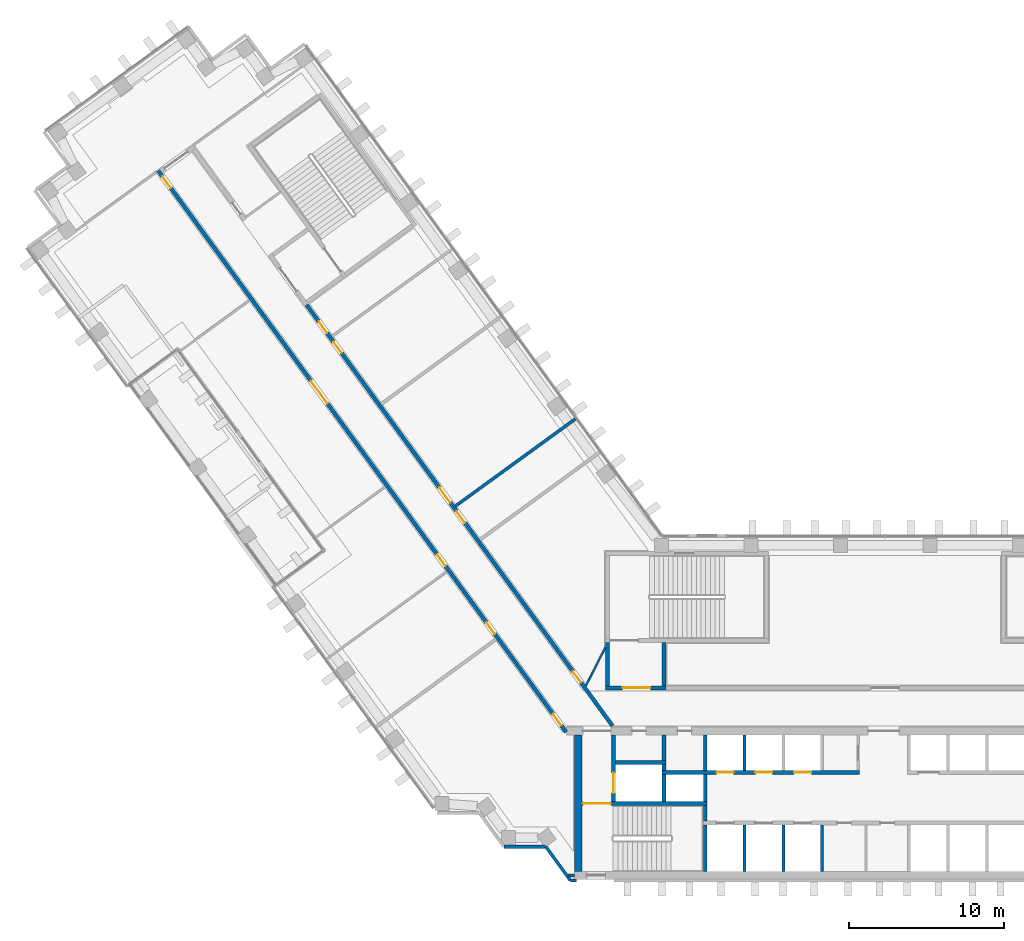
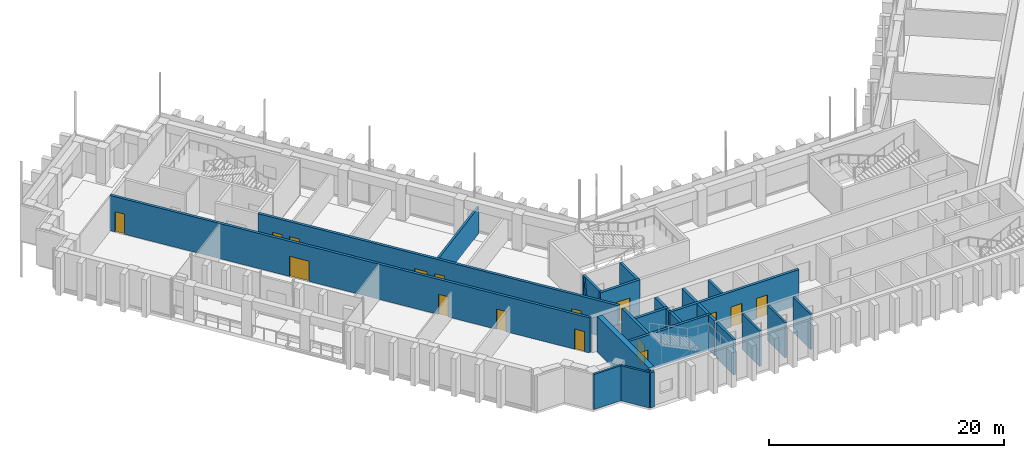
# One storey, part 10 of 19: 27 walls, 16 doors, 16 openings.
"""IFC4 building model written with IfcOpenShell, lengths in metres."""

from ifc_helpers import new_model, si_unit, direction, frame, frame_2d, origin, place, context, subcontext, project, spatial, rectangle, extrude, material, layer, layer_set, type_object, element, fill, save


model = new_model("IFC4")

# Units and contexts
model_context = context("Model", 3, precision=1e-05, world=origin(), true_north=direction((0.0, 1.0)))
body_context = subcontext(model_context, "Body", "Model", "MODEL_VIEW")
ifc_project = project(units=[si_unit("LENGTHUNIT", "METRE"), si_unit("AREAUNIT", "SQUARE_METRE"), si_unit("VOLUMEUNIT", "CUBIC_METRE"), si_unit("PLANEANGLEUNIT", "RADIAN"), si_unit("MASSUNIT", "GRAM", prefix="KILO")], contexts=[model_context])

# Site, building, storey
site_placement = place(None, origin())
site = spatial("IfcSite", under=ifc_project, at=site_placement, CompositionType="ELEMENT")
building_placement = place(site_placement, origin())
building = spatial("IfcBuilding", under=site, at=building_placement, Name="Quipu Civic Tower", CompositionType="ELEMENT")
storey_placement = place(building_placement, frame((0.0, 0.0, 47.0)))
storey = spatial("IfcBuildingStorey", under=building, at=storey_placement, Name="L10", CompositionType="ELEMENT", Elevation=47.0)

# Walls
ifc_material_1 = material(Name="Fired clay blockwork", Category="masonry")
ifc_layer_1 = layer(ifc_material_1, 0.199951171875)
ifc_layer_set_1 = layer_set([ifc_layer_1], Name="Fired clay blockwork")
wall_type_1 = type_object("IfcWallType", Name="Blockwork wall 200", PredefinedType="SOLIDWALL", material=ifc_layer_set_1)
wall_1_placement = place(storey_placement, frame((-19.938232421875, 18.62939453125, 0.0), z_axis=(0.0, 0.0, 1.0), x_axis=(-0.80900684162, -0.587799226107, 0.0)))
element("IfcWall", 1, at=wall_1_placement, inside=storey, type_object=wall_type_1, Name="Partition P18", PredefinedType="SOLIDWALL", context=body_context, shape_type="SweptSolid", body=[
    extrude(rectangle(XDim=9.550048828125, YDim=0.199951171875, at=frame_2d((4.77490234375, 0.0))), origin(), (0.0, 0.0, 1.0), 2.75),
])
ifc_material_2 = material(Name="Concrete C70/85", Category="concrete")
ifc_layer_2 = layer(ifc_material_2, 0.25)
ifc_layer_set_2 = layer_set([ifc_layer_2], Name="Concrete C70/85")
wall_type_2 = type_object("IfcWallType", Name="Core wall 250", PredefinedType="SHEAR", material=ifc_layer_set_2)
wall_2_placement = place(storey_placement, frame((-11.574951171875, -10.5, 0.0), z_axis=(0.0, 0.0, 1.0), x_axis=(0.0, 1.0, 0.0)))
element("IfcWall", 2, at=wall_2_placement, inside=storey, type_object=wall_type_2, Name="Core wall", PredefinedType="SHEAR", context=body_context, shape_type="SweptSolid", body=[
    extrude(rectangle(XDim=3.0, YDim=0.25, at=frame_2d((1.5, 0.0))), origin(), (0.0, 0.0, 1.0), 3.64990234375),
])
wall_3_placement = place(storey_placement, frame((-11.574951171875, -7.25, 0.0), z_axis=(0.0, 0.0, 1.0), x_axis=(0.0, 1.0, 0.0)))
element("IfcWall", 3, at=wall_3_placement, inside=storey, type_object=wall_type_2, Name="Core wall", PredefinedType="SHEAR", context=body_context, shape_type="SweptSolid", body=[
    extrude(rectangle(XDim=1.0, YDim=0.25, at=frame_2d((0.5, 0.0))), origin(), (0.0, 0.0, 1.0), 3.64990234375),
])

# Wall, opening, door
wall_4_placement = place(storey_placement, frame((-11.449951171875, -6.125, 0.0), z_axis=(0.0, 0.0, 1.0), x_axis=(-1.0, 0.0, 0.0)))
wall_4 = element("IfcWall", 4, at=wall_4_placement, inside=storey, type_object=wall_type_2, Name="Core wall", PredefinedType="SHEAR", context=body_context, shape_type="SweptSolid", body=[
    extrude(rectangle(XDim=8.050048828125, YDim=0.25, at=frame_2d((4.02490234375, 0.0))), origin(), (0.0, 0.0, 1.0), 3.64990234375),
])
opening_1_placement = place(wall_4_placement, frame((6.199951171875, 0.0, 0.0)))
opening_1 = element("IfcOpeningElement", 5, at=opening_1_placement, cuts=wall_4, Name="Opening CD-03", PredefinedType="OPENING", context=body_context, shape_type="SweptSolid", body=[
    extrude(rectangle(XDim=1.800048828125, YDim=2.10009765625, at=frame_2d((0.89990234375, 1.050048828125))), frame((0.0, 0.135009765625, 0.0), z_axis=(0.0, -1.0, 0.0), x_axis=(1.0, 0.0, 0.0)), (0.0, 0.0, 1.0), 0.27001953125),
])
ifc_material_3 = material(Name="Fire rated steel door", Category="steel")
door_type_1 = type_object("IfcDoorType", Name="Fire door FD90 double 1800 x 2100", OperationType="NOTDEFINED", PredefinedType="DOOR", material=ifc_material_3)
door_1_placement = place(opening_1_placement, origin())
door_1 = element("IfcDoor", 6, at=door_1_placement, inside=storey, type_object=door_type_1, Name="Door", OperationType="DOUBLE_DOOR_SINGLE_SWING", OverallHeight=2.10009765625, OverallWidth=1.800048828125, PredefinedType="DOOR", context=body_context, shape_type="SweptSolid", body=[
    extrude(rectangle(XDim=1.800048828125, YDim=2.10009765625, at=frame_2d((0.89990234375, 1.050048828125))), frame((0.0, 0.02490234375, 0.0), z_axis=(0.0, -1.0, 0.0), x_axis=(1.0, 0.0, 0.0)), (0.0, 0.0, 1.0), 0.050048828125),
])
fill(opening_1, door_1)

wall_5_placement = place(storey_placement, frame((-17.47509765625, -6.0, 0.0), z_axis=(0.0, 0.0, 1.0), x_axis=(0.0, 1.0, 0.0)))
wall_5 = element("IfcWall", 7, at=wall_5_placement, inside=storey, type_object=wall_type_2, Name="Core wall", PredefinedType="SHEAR", context=body_context, shape_type="SweptSolid", body=[
    extrude(rectangle(XDim=4.300048828125, YDim=0.25, at=frame_2d((2.14990234375, 0.0))), origin(), (0.0, 0.0, 1.0), 3.64990234375),
])
opening_2_placement = place(wall_5_placement, frame((0.550048828125, 0.0, 0.0)))
opening_2 = element("IfcOpeningElement", 8, at=opening_2_placement, cuts=wall_5, Name="Opening LD-FF1", PredefinedType="OPENING", context=body_context, shape_type="SweptSolid", body=[
    extrude(rectangle(XDim=1.300048828125, YDim=2.10009765625, at=frame_2d((0.64990234375, 1.050048828125))), frame((0.0, 0.135009765625, 0.0), z_axis=(0.0, -1.0, 0.0), x_axis=(1.0, 0.0, 0.0)), (0.0, 0.0, 1.0), 0.27001953125),
])
ifc_material_4 = material(Name="Stainless steel", Category="steel")
door_type_2 = type_object("IfcDoorType", Name="Lift landing door 1300 x 2100", OperationType="DOUBLE_DOOR_SLIDING", PredefinedType="DOOR", material=ifc_material_4)
door_2_placement = place(opening_2_placement, origin())
door_2 = element("IfcDoor", 9, at=door_2_placement, inside=storey, type_object=door_type_2, Name="Landing door FF1", OperationType="DOUBLE_DOOR_SLIDING", OverallHeight=2.10009765625, OverallWidth=1.300048828125, PredefinedType="DOOR", context=body_context, shape_type="SweptSolid", body=[
    extrude(rectangle(XDim=1.300048828125, YDim=2.10009765625, at=frame_2d((0.64990234375, 1.050048828125))), frame((0.0, 0.02490234375, 0.0), z_axis=(0.0, -1.0, 0.0), x_axis=(1.0, 0.0, 0.0)), (0.0, 0.0, 1.0), 0.050048828125),
])
fill(opening_2, door_2)

# Walls
for number, where, z_axis, x_axis, name in (
    (10, (-14.22509765625, -6.0, 0.0), (0.0, 0.0, 1.0), (0.0, 1.0, 0.0), "Core wall"),
    (11, (-11.574951171875, -6.0, 0.0), (0.0, 0.0, 1.0), (0.0, 1.0, 0.0), "Core wall"),
):
    element("IfcWall", number, at=place(storey_placement, frame(where, z_axis=z_axis, x_axis=x_axis)), inside=storey, type_object=wall_type_2, Name=name, PredefinedType="SHEAR", context=body_context, shape_type="SweptSolid", body=[
        extrude(rectangle(XDim=1.75, YDim=0.25, at=frame_2d((0.875, 0.0))), origin(), (0.0, 0.0, 1.0), 3.64990234375),
    ])

# Wall, openings, doors
wall_6_placement = place(storey_placement, frame((-14.35009765625, -4.125, 0.0), z_axis=(0.0, 0.0, 1.0), x_axis=(1.0, 0.0, 0.0)))
wall_6 = element("IfcWall", 12, at=wall_6_placement, inside=storey, type_object=wall_type_2, Name="Core wall", PredefinedType="SHEAR", context=body_context, shape_type="SweptSolid", body=[
    extrude(rectangle(XDim=12.7001953125, YDim=0.25, at=frame_2d((6.35009765625, 0.0))), origin(), (0.0, 0.0, 1.0), 3.64990234375),
])
opening_3_placement = place(wall_6_placement, frame((3.5, 0.0, 0.0)))
opening_3 = element("IfcOpeningElement", 13, at=opening_3_placement, cuts=wall_6, Name="Opening LD-LL4", PredefinedType="OPENING", context=body_context, shape_type="SweptSolid", body=[
    extrude(rectangle(XDim=1.10009765625, YDim=2.10009765625, at=frame_2d((0.550048828125, 1.050048828125))), frame((0.0, 0.135009765625, 0.0), z_axis=(0.0, -1.0, 0.0), x_axis=(1.0, 0.0, 0.0)), (0.0, 0.0, 1.0), 0.27001953125),
])
opening_4_placement = place(wall_6_placement, frame((6.0, 0.0, 0.0)))
opening_4 = element("IfcOpeningElement", 14, at=opening_4_placement, cuts=wall_6, Name="Opening LD-LL5", PredefinedType="OPENING", context=body_context, shape_type="SweptSolid", body=[
    extrude(rectangle(XDim=1.10009765625, YDim=2.10009765625, at=frame_2d((0.550048828125, 1.050048828125))), frame((0.0, 0.135009765625, 0.0), z_axis=(0.0, -1.0, 0.0), x_axis=(1.0, 0.0, 0.0)), (0.0, 0.0, 1.0), 0.27001953125),
])
opening_5_placement = place(wall_6_placement, frame((8.5, 0.0, 0.0)))
opening_5 = element("IfcOpeningElement", 15, at=opening_5_placement, cuts=wall_6, Name="Opening LD-LL6", PredefinedType="OPENING", context=body_context, shape_type="SweptSolid", body=[
    extrude(rectangle(XDim=1.10009765625, YDim=2.10009765625, at=frame_2d((0.550048828125, 1.050048828125))), frame((0.0, 0.135009765625, 0.0), z_axis=(0.0, -1.0, 0.0), x_axis=(1.0, 0.0, 0.0)), (0.0, 0.0, 1.0), 0.27001953125),
])
ifc_material_5 = material(Name="Stainless steel", Category="steel")
door_type_3 = type_object("IfcDoorType", Name="Lift landing door 1100 x 2100", OperationType="DOUBLE_DOOR_SLIDING", PredefinedType="DOOR", material=ifc_material_5)
door_3_placement = place(opening_3_placement, origin())
door_3 = element("IfcDoor", 16, at=door_3_placement, inside=storey, type_object=door_type_3, Name="Landing door LL4", OperationType="DOUBLE_DOOR_SLIDING", OverallHeight=2.10009765625, OverallWidth=1.10009765625, PredefinedType="DOOR", context=body_context, shape_type="SweptSolid", body=[
    extrude(rectangle(XDim=1.10009765625, YDim=2.10009765625, at=frame_2d((0.550048828125, 1.050048828125))), frame((0.0, 0.02490234375, 0.0), z_axis=(0.0, -1.0, 0.0), x_axis=(1.0, 0.0, 0.0)), (0.0, 0.0, 1.0), 0.050048828125),
])
fill(opening_3, door_3)
door_4_placement = place(opening_4_placement, origin())
door_4 = element("IfcDoor", 17, at=door_4_placement, inside=storey, type_object=door_type_3, Name="Landing door LL5", OperationType="DOUBLE_DOOR_SLIDING", OverallHeight=2.10009765625, OverallWidth=1.10009765625, PredefinedType="DOOR", context=body_context, shape_type="SweptSolid", body=[
    extrude(rectangle(XDim=1.10009765625, YDim=2.10009765625, at=frame_2d((0.550048828125, 1.050048828125))), frame((0.0, 0.02490234375, 0.0), z_axis=(0.0, -1.0, 0.0), x_axis=(1.0, 0.0, 0.0)), (0.0, 0.0, 1.0), 0.050048828125),
])
fill(opening_4, door_4)
door_5_placement = place(opening_5_placement, origin())
door_5 = element("IfcDoor", 18, at=door_5_placement, inside=storey, type_object=door_type_3, Name="Landing door LL6", OperationType="DOUBLE_DOOR_SLIDING", OverallHeight=2.10009765625, OverallWidth=1.10009765625, PredefinedType="DOOR", context=body_context, shape_type="SweptSolid", body=[
    extrude(rectangle(XDim=1.10009765625, YDim=2.10009765625, at=frame_2d((0.550048828125, 1.050048828125))), frame((0.0, 0.02490234375, 0.0), z_axis=(0.0, -1.0, 0.0), x_axis=(1.0, 0.0, 0.0)), (0.0, 0.0, 1.0), 0.050048828125),
])
fill(opening_5, door_5)

# Walls
wall_7_placement = place(storey_placement, frame((-14.22509765625, -4.0, 0.0), z_axis=(0.0, 0.0, 1.0), x_axis=(0.0, 1.0, 0.0)))
element("IfcWall", 19, at=wall_7_placement, inside=storey, type_object=wall_type_2, Name="Core wall", PredefinedType="SHEAR", context=body_context, shape_type="SweptSolid", body=[
    extrude(rectangle(XDim=0.39990234375, YDim=0.25, at=frame_2d((0.199951171875, 0.0))), origin(), (0.0, 0.0, 1.0), 3.64990234375),
])
wall_8_placement = place(storey_placement, frame((-11.574951171875, -4.0, 0.0), z_axis=(0.0, 0.0, 1.0), x_axis=(0.0, 1.0, 0.0)))
element("IfcWall", 20, at=wall_8_placement, inside=storey, type_object=wall_type_2, Name="Core wall", PredefinedType="SHEAR", context=body_context, shape_type="SweptSolid", body=[
    extrude(rectangle(XDim=2.300048828125, YDim=0.25, at=frame_2d((1.14990234375, 0.0))), origin(), (0.0, 0.0, 1.0), 3.64990234375),
])
wall_9_placement = place(storey_placement, frame((-17.35009765625, -3.47509765625, 0.0), z_axis=(0.0, 0.0, 1.0), x_axis=(1.0, 0.0, 0.0)))
element("IfcWall", 21, at=wall_9_placement, inside=storey, type_object=wall_type_2, Name="Core wall", PredefinedType="SHEAR", context=body_context, shape_type="SweptSolid", body=[
    extrude(rectangle(XDim=3.25, YDim=0.25, at=frame_2d((1.625, 0.0))), origin(), (0.0, 0.0, 1.0), 3.64990234375),
])
wall_10_placement = place(storey_placement, frame((-14.22509765625, -3.35009765625, 0.0), z_axis=(0.0, 0.0, 1.0), x_axis=(0.0, 1.0, 0.0)))
element("IfcWall", 22, at=wall_10_placement, inside=storey, type_object=wall_type_2, Name="Core wall", PredefinedType="SHEAR", context=body_context, shape_type="SweptSolid", body=[
    extrude(rectangle(XDim=1.650146484375, YDim=0.25, at=frame_2d((0.8251953125, 0.0))), origin(), (0.0, 0.0, 1.0), 3.64990234375),
])

# Wall, opening, door
wall_11_placement = place(storey_placement, frame((-18.0, 1.324951171875, 0.0), z_axis=(0.0, 0.0, 1.0), x_axis=(1.0, 0.0, 0.0)))
wall_11 = element("IfcWall", 23, at=wall_11_placement, inside=storey, type_object=wall_type_2, Name="Core wall", PredefinedType="SHEAR", context=body_context, shape_type="SweptSolid", body=[
    extrude(rectangle(XDim=3.89990234375, YDim=0.25, at=frame_2d((1.949951171875, 0.0))), origin(), (0.0, 0.0, 1.0), 3.64990234375),
])
opening_6_placement = place(wall_11_placement, frame((1.10009765625, 0.0, 0.0)))
opening_6 = element("IfcOpeningElement", 24, at=opening_6_placement, cuts=wall_11, Name="Opening CD-14", PredefinedType="OPENING", context=body_context, shape_type="SweptSolid", body=[
    extrude(rectangle(XDim=1.800048828125, YDim=2.10009765625, at=frame_2d((0.89990234375, 1.050048828125))), frame((0.0, 0.135009765625, 0.0), z_axis=(0.0, -1.0, 0.0), x_axis=(1.0, 0.0, 0.0)), (0.0, 0.0, 1.0), 0.27001953125),
])
door_6_placement = place(opening_6_placement, origin())
door_6 = element("IfcDoor", 25, at=door_6_placement, inside=storey, type_object=door_type_1, Name="Lobby door", OperationType="DOUBLE_DOOR_SINGLE_SWING", OverallHeight=2.10009765625, OverallWidth=1.800048828125, PredefinedType="DOOR", context=body_context, shape_type="SweptSolid", body=[
    extrude(rectangle(XDim=1.800048828125, YDim=2.10009765625, at=frame_2d((0.89990234375, 1.050048828125))), frame((0.0, 0.02490234375, 0.0), z_axis=(0.0, -1.0, 0.0), x_axis=(1.0, 0.0, 0.0)), (0.0, 0.0, 1.0), 0.050048828125),
])
fill(opening_6, door_6)

# Walls
for number, where, z_axis, x_axis, name in (
    (26, (-17.875, 1.449951171875, 0.0), (0.0, 0.0, 1.0), (0.0, 1.0, 0.0), "Core wall"),
    (27, (-14.22509765625, 1.449951171875, 0.0), (0.0, 0.0, 1.0), (0.0, 1.0, 0.0), "Core wall"),
):
    element("IfcWall", number, at=place(storey_placement, frame(where, z_axis=z_axis, x_axis=x_axis)), inside=storey, type_object=wall_type_2, Name=name, PredefinedType="SHEAR", context=body_context, shape_type="SweptSolid", body=[
        extrude(rectangle(XDim=2.800048828125, YDim=0.25, at=frame_2d((1.39990234375, 0.0))), origin(), (0.0, 0.0, 1.0), 3.64990234375),
    ])
ifc_material_6 = material(Name="Concrete C70/85", Category="concrete")
ifc_layer_3 = layer(ifc_material_6, 0.5)
ifc_layer_set_3 = layer_set([ifc_layer_3], Name="Concrete C70/85")
wall_type_3 = type_object("IfcWallType", Name="Core wall 500", PredefinedType="SHEAR", material=ifc_layer_set_3)
wall_12_placement = place(storey_placement, frame((-19.75, -10.5, 0.0), z_axis=(0.0, 0.0, 1.0), x_axis=(0.0, 1.0, 0.0)))
element("IfcWall", 28, at=wall_12_placement, inside=storey, type_object=wall_type_3, Name="Core wall", PredefinedType="SHEAR", context=body_context, shape_type="SweptSolid", body=[
    extrude(rectangle(XDim=8.800048828125, YDim=0.5, at=frame_2d((4.39990234375, 0.0))), origin(), (0.0, 0.0, 1.0), 3.64990234375),
])

# Wall, openings, doors
ifc_material_7 = material(Name="Concrete C50/60", Category="concrete")
ifc_layer_4 = layer(ifc_material_7, 0.25)
ifc_layer_set_4 = layer_set([ifc_layer_4], Name="Concrete C50/60")
wall_type_4 = type_object("IfcWallType", Name="Corridor wall 250 concrete", PredefinedType="SOLIDWALL", material=ifc_layer_set_4)
wall_13_placement = place(storey_placement, frame((-20.531005859375, -1.5234375, 0.0), z_axis=(0.0, 0.0, 1.0), x_axis=(-0.587784593204, 0.809017473231, 0.0)))
wall_13 = element("IfcWall", 29, at=wall_13_placement, inside=storey, type_object=wall_type_4, Name="Corridor wall C01", PredefinedType="SOLIDWALL", context=body_context, shape_type="SweptSolid", body=[
    extrude(rectangle(XDim=44.67041015625, YDim=0.25, at=frame_2d((22.335205078125, 0.0))), origin(), (0.0, 0.0, 1.0), 3.64990234375),
])
opening_7_placement = place(wall_13_placement, frame((26.14013671875, 0.0, 0.0)))
opening_7 = element("IfcOpeningElement", 30, at=opening_7_placement, cuts=wall_13, Name="Opening D019", PredefinedType="OPENING", context=body_context, shape_type="SweptSolid", body=[
    extrude(rectangle(XDim=1.800048828125, YDim=2.10009765625, at=frame_2d((0.89990234375, 1.050048828125))), frame((0.0, 0.135009765625, 0.0), z_axis=(0.0, -1.0, 0.0), x_axis=(1.0, 0.0, 0.0)), (0.0, 0.0, 1.0), 0.27001953125),
])
opening_8_placement = place(wall_13_placement, frame((43.295654296875, 0.0, 0.0)))
opening_8 = element("IfcOpeningElement", 31, at=opening_8_placement, cuts=wall_13, Name="Opening D018", PredefinedType="OPENING", context=body_context, shape_type="SweptSolid", body=[
    extrude(rectangle(XDim=0.89990234375, YDim=2.10009765625, at=frame_2d((0.449951171875, 1.050048828125))), frame((0.0, 0.135009765625, 0.0), z_axis=(0.0, -1.0, 0.0), x_axis=(1.0, 0.0, 0.0)), (0.0, 0.0, 1.0), 0.27001953125),
])
opening_9_placement = place(wall_13_placement, frame((13.216064453125, 0.0, 0.0)))
opening_9 = element("IfcOpeningElement", 32, at=opening_9_placement, cuts=wall_13, Name="Opening D020", PredefinedType="OPENING", context=body_context, shape_type="SweptSolid", body=[
    extrude(rectangle(XDim=0.89990234375, YDim=2.10009765625, at=frame_2d((0.449951171875, 1.050048828125))), frame((0.0, 0.135009765625, 0.0), z_axis=(0.0, -1.0, 0.0), x_axis=(1.0, 0.0, 0.0)), (0.0, 0.0, 1.0), 0.27001953125),
])
opening_10_placement = place(wall_13_placement, frame((7.81591796875, 0.0, 0.0)))
opening_10 = element("IfcOpeningElement", 33, at=opening_10_placement, cuts=wall_13, Name="Opening D021", PredefinedType="OPENING", context=body_context, shape_type="SweptSolid", body=[
    extrude(rectangle(XDim=0.89990234375, YDim=2.10009765625, at=frame_2d((0.449951171875, 1.050048828125))), frame((0.0, 0.135009765625, 0.0), z_axis=(0.0, -1.0, 0.0), x_axis=(1.0, 0.0, 0.0)), (0.0, 0.0, 1.0), 0.27001953125),
])
opening_11_placement = place(wall_13_placement, frame((0.53271484375, 0.0, 0.0)))
opening_11 = element("IfcOpeningElement", 34, at=opening_11_placement, cuts=wall_13, Name="Opening D022", PredefinedType="OPENING", context=body_context, shape_type="SweptSolid", body=[
    extrude(rectangle(XDim=0.89990234375, YDim=2.10009765625, at=frame_2d((0.449951171875, 1.050048828125))), frame((0.0, 0.135009765625, 0.0), z_axis=(0.0, -1.0, 0.0), x_axis=(1.0, 0.0, 0.0)), (0.0, 0.0, 1.0), 0.27001953125),
])
ifc_material_8 = material(Name="Fire rated timber door set with metal frame", Category="wood")
door_type_4 = type_object("IfcDoorType", Name="Double door 1800 x 2100 FD60", OperationType="DOUBLE_DOOR_SINGLE_SWING", PredefinedType="DOOR", material=ifc_material_8)
door_7_placement = place(opening_7_placement, origin())
door_7 = element("IfcDoor", 35, at=door_7_placement, inside=storey, type_object=door_type_4, Name="Door D019", OperationType="DOUBLE_DOOR_SINGLE_SWING", OverallHeight=2.10009765625, OverallWidth=1.800048828125, PredefinedType="DOOR", context=body_context, shape_type="SweptSolid", body=[
    extrude(rectangle(XDim=1.800048828125, YDim=2.10009765625, at=frame_2d((0.89990234375, 1.050048828125))), frame((0.0, 0.02490234375, 0.0), z_axis=(0.0, -1.0, 0.0), x_axis=(1.0, 0.0, 0.0)), (0.0, 0.0, 1.0), 0.050048828125),
])
fill(opening_7, door_7)
ifc_material_9 = material(Name="Fire rated timber door set with metal frame", Category="wood")
door_type_5 = type_object("IfcDoorType", Name="Single door 900 x 2100 FD60", OperationType="NOTDEFINED", PredefinedType="DOOR", material=ifc_material_9)
door_8_placement = place(opening_8_placement, origin())
door_8 = element("IfcDoor", 36, at=door_8_placement, inside=storey, type_object=door_type_5, Name="Door D018", OperationType="SINGLE_SWING_RIGHT", OverallHeight=2.10009765625, OverallWidth=0.89990234375, PredefinedType="DOOR", context=body_context, shape_type="SweptSolid", body=[
    extrude(rectangle(XDim=0.89990234375, YDim=2.10009765625, at=frame_2d((0.449951171875, 1.050048828125))), frame((0.0, 0.02490234375, 0.0), z_axis=(0.0, -1.0, 0.0), x_axis=(1.0, 0.0, 0.0)), (0.0, 0.0, 1.0), 0.050048828125),
])
fill(opening_8, door_8)
door_9_placement = place(opening_9_placement, origin())
door_9 = element("IfcDoor", 37, at=door_9_placement, inside=storey, type_object=door_type_5, Name="Door D020", OperationType="SINGLE_SWING_LEFT", OverallHeight=2.10009765625, OverallWidth=0.89990234375, PredefinedType="DOOR", context=body_context, shape_type="SweptSolid", body=[
    extrude(rectangle(XDim=0.89990234375, YDim=2.10009765625, at=frame_2d((0.449951171875, 1.050048828125))), frame((0.0, 0.02490234375, 0.0), z_axis=(0.0, -1.0, 0.0), x_axis=(1.0, 0.0, 0.0)), (0.0, 0.0, 1.0), 0.050048828125),
])
fill(opening_9, door_9)
door_10_placement = place(opening_10_placement, origin())
door_10 = element("IfcDoor", 38, at=door_10_placement, inside=storey, type_object=door_type_5, Name="Door D021", OperationType="SINGLE_SWING_LEFT", OverallHeight=2.10009765625, OverallWidth=0.89990234375, PredefinedType="DOOR", context=body_context, shape_type="SweptSolid", body=[
    extrude(rectangle(XDim=0.89990234375, YDim=2.10009765625, at=frame_2d((0.449951171875, 1.050048828125))), frame((0.0, 0.02490234375, 0.0), z_axis=(0.0, -1.0, 0.0), x_axis=(1.0, 0.0, 0.0)), (0.0, 0.0, 1.0), 0.050048828125),
])
fill(opening_10, door_10)
door_11_placement = place(opening_11_placement, origin())
door_11 = element("IfcDoor", 39, at=door_11_placement, inside=storey, type_object=door_type_5, Name="Door D022", OperationType="SINGLE_SWING_LEFT", OverallHeight=2.10009765625, OverallWidth=0.89990234375, PredefinedType="DOOR", context=body_context, shape_type="SweptSolid", body=[
    extrude(rectangle(XDim=0.89990234375, YDim=2.10009765625, at=frame_2d((0.449951171875, 1.050048828125))), frame((0.0, 0.02490234375, 0.0), z_axis=(0.0, -1.0, 0.0), x_axis=(1.0, 0.0, 0.0)), (0.0, 0.0, 1.0), 0.050048828125),
])
fill(opening_11, door_11)

wall_14_placement = place(storey_placement, frame((-37.231689453125, 25.9716796875, 0.0), z_axis=(0.0, 0.0, 1.0), x_axis=(0.587786323093, -0.809016216391, 0.0)))
wall_14 = element("IfcWall", 40, at=wall_14_placement, inside=storey, type_object=wall_type_4, Name="Corridor wall C04", PredefinedType="SOLIDWALL", context=body_context, shape_type="SweptSolid", body=[
    extrude(rectangle(XDim=33.4931640625, YDim=0.25, at=frame_2d((16.74658203125, 0.0))), origin(), (0.0, 0.0, 1.0), 3.64990234375),
])
opening_12_placement = place(wall_14_placement, frame((2.935302734375, 0.0, 0.0)))
opening_12 = element("IfcOpeningElement", 41, at=opening_12_placement, cuts=wall_14, Name="Opening D014", PredefinedType="OPENING", context=body_context, shape_type="SweptSolid", body=[
    extrude(rectangle(XDim=0.89990234375, YDim=2.10009765625, at=frame_2d((0.449951171875, 1.050048828125))), frame((0.0, 0.135009765625, 0.0), z_axis=(0.0, -1.0, 0.0), x_axis=(1.0, 0.0, 0.0)), (0.0, 0.0, 1.0), 0.27001953125),
])
opening_13_placement = place(wall_14_placement, frame((16.434814453125, 0.0, 0.0)))
opening_13 = element("IfcOpeningElement", 42, at=opening_13_placement, cuts=wall_14, Name="Opening D016", PredefinedType="OPENING", context=body_context, shape_type="SweptSolid", body=[
    extrude(rectangle(XDim=0.89990234375, YDim=2.10009765625, at=frame_2d((0.449951171875, 1.050048828125))), frame((0.0, 0.135009765625, 0.0), z_axis=(0.0, -1.0, 0.0), x_axis=(1.0, 0.0, 0.0)), (0.0, 0.0, 1.0), 0.27001953125),
])
opening_14_placement = place(wall_14_placement, frame((29.151611328125, 0.0, 0.0)))
opening_14 = element("IfcOpeningElement", 43, at=opening_14_placement, cuts=wall_14, Name="Opening D017", PredefinedType="OPENING", context=body_context, shape_type="SweptSolid", body=[
    extrude(rectangle(XDim=0.89990234375, YDim=2.10009765625, at=frame_2d((0.449951171875, 1.050048828125))), frame((0.0, 0.135009765625, 0.0), z_axis=(0.0, -1.0, 0.0), x_axis=(1.0, 0.0, 0.0)), (0.0, 0.0, 1.0), 0.27001953125),
])
opening_15_placement = place(wall_14_placement, frame((14.53564453125, 0.0, 0.0)))
opening_15 = element("IfcOpeningElement", 44, at=opening_15_placement, cuts=wall_14, Name="Opening D015", PredefinedType="OPENING", context=body_context, shape_type="SweptSolid", body=[
    extrude(rectangle(XDim=1.199951171875, YDim=2.10009765625, at=frame_2d((0.60009765625, 1.050048828125))), frame((0.0, 0.135009765625, 0.0), z_axis=(0.0, -1.0, 0.0), x_axis=(1.0, 0.0, 0.0)), (0.0, 0.0, 1.0), 0.27001953125),
])
opening_16_placement = place(wall_14_placement, frame((1.335205078125, 0.0, 0.0)))
opening_16 = element("IfcOpeningElement", 45, at=opening_16_placement, cuts=wall_14, Name="Opening D013", PredefinedType="OPENING", context=body_context, shape_type="SweptSolid", body=[
    extrude(rectangle(XDim=0.89990234375, YDim=2.10009765625, at=frame_2d((0.449951171875, 1.050048828125))), frame((0.0, 0.135009765625, 0.0), z_axis=(0.0, -1.0, 0.0), x_axis=(1.0, 0.0, 0.0)), (0.0, 0.0, 1.0), 0.27001953125),
])
ifc_material_10 = material(Name="Fire rated timber door set with metal frame", Category="wood")
door_type_6 = type_object("IfcDoorType", Name="Single door 1200 x 2100 FD60", OperationType="NOTDEFINED", PredefinedType="DOOR", material=ifc_material_10)
door_12_placement = place(opening_15_placement, origin())
door_12 = element("IfcDoor", 46, at=door_12_placement, inside=storey, type_object=door_type_6, Name="Door D015", OperationType="SINGLE_SWING_RIGHT", OverallHeight=2.10009765625, OverallWidth=1.199951171875, PredefinedType="DOOR", context=body_context, shape_type="SweptSolid", body=[
    extrude(rectangle(XDim=1.199951171875, YDim=2.10009765625, at=frame_2d((0.60009765625, 1.050048828125))), frame((0.0, 0.02490234375, 0.0), z_axis=(0.0, -1.0, 0.0), x_axis=(1.0, 0.0, 0.0)), (0.0, 0.0, 1.0), 0.050048828125),
])
fill(opening_15, door_12)
door_13_placement = place(opening_12_placement, origin())
door_13 = element("IfcDoor", 47, at=door_13_placement, inside=storey, type_object=door_type_5, Name="Door D014", OperationType="SINGLE_SWING_LEFT", OverallHeight=2.10009765625, OverallWidth=0.89990234375, PredefinedType="DOOR", context=body_context, shape_type="SweptSolid", body=[
    extrude(rectangle(XDim=0.89990234375, YDim=2.10009765625, at=frame_2d((0.449951171875, 1.050048828125))), frame((0.0, 0.02490234375, 0.0), z_axis=(0.0, -1.0, 0.0), x_axis=(1.0, 0.0, 0.0)), (0.0, 0.0, 1.0), 0.050048828125),
])
fill(opening_12, door_13)
door_14_placement = place(opening_13_placement, origin())
door_14 = element("IfcDoor", 48, at=door_14_placement, inside=storey, type_object=door_type_5, Name="Door D016", OperationType="SINGLE_SWING_LEFT", OverallHeight=2.10009765625, OverallWidth=0.89990234375, PredefinedType="DOOR", context=body_context, shape_type="SweptSolid", body=[
    extrude(rectangle(XDim=0.89990234375, YDim=2.10009765625, at=frame_2d((0.449951171875, 1.050048828125))), frame((0.0, 0.02490234375, 0.0), z_axis=(0.0, -1.0, 0.0), x_axis=(1.0, 0.0, 0.0)), (0.0, 0.0, 1.0), 0.050048828125),
])
fill(opening_13, door_14)
door_15_placement = place(opening_14_placement, origin())
door_15 = element("IfcDoor", 49, at=door_15_placement, inside=storey, type_object=door_type_5, Name="Door D017", OperationType="SINGLE_SWING_RIGHT", OverallHeight=2.10009765625, OverallWidth=0.89990234375, PredefinedType="DOOR", context=body_context, shape_type="SweptSolid", body=[
    extrude(rectangle(XDim=0.89990234375, YDim=2.10009765625, at=frame_2d((0.449951171875, 1.050048828125))), frame((0.0, 0.02490234375, 0.0), z_axis=(0.0, -1.0, 0.0), x_axis=(1.0, 0.0, 0.0)), (0.0, 0.0, 1.0), 0.050048828125),
])
fill(opening_14, door_15)
door_16_placement = place(opening_16_placement, origin())
door_16 = element("IfcDoor", 50, at=door_16_placement, inside=storey, type_object=door_type_5, Name="Door D013", OperationType="SINGLE_SWING_RIGHT", OverallHeight=2.10009765625, OverallWidth=0.89990234375, PredefinedType="DOOR", context=body_context, shape_type="SweptSolid", body=[
    extrude(rectangle(XDim=0.89990234375, YDim=2.10009765625, at=frame_2d((0.449951171875, 1.050048828125))), frame((0.0, 0.02490234375, 0.0), z_axis=(0.0, -1.0, 0.0), x_axis=(1.0, 0.0, 0.0)), (0.0, 0.0, 1.0), 0.050048828125),
])
fill(opening_16, door_16)

# Walls
ifc_material_11 = material(Name="Gypsum plasterboard on light gauge framing")
ifc_layer_5 = layer(ifc_material_11, 0.1201171875)
ifc_layer_set_5 = layer_set([ifc_layer_5], Name="Gypsum plasterboard on light gauge framing")
wall_type_5 = type_object("IfcWallType", Name="Partition 120 plasterboard", PredefinedType="PARTITIONING", material=ifc_layer_set_5)
wall_15_placement = place(storey_placement, frame((-19.260986328125, 1.449951171875, 0.0), z_axis=(0.0, 0.0, 1.0), x_axis=(0.453950796792, 0.891026752736, 0.0)))
element("IfcWall", 51, at=wall_15_placement, inside=storey, type_object=wall_type_5, Name="Partition P22", PredefinedType="PARTITIONING", context=body_context, shape_type="SweptSolid", body=[
    extrude(rectangle(XDim=2.77783203125, YDim=0.1201171875, at=frame_2d((1.388916015625, 0.0))), origin(), (0.0, 0.0, 1.0), 3.64990234375),
])
ifc_material_12 = material(Name="Precast concrete C40/50", Category="concrete")
wall_type_6 = type_object("IfcWallType", Name="Precast cladding wall", PredefinedType="SOLIDWALL", material=ifc_material_12)
wall_16_placement = place(storey_placement, frame((-24.542724609375, -8.90380859375, 0.0), z_axis=(0.0, 0.0, 1.0), x_axis=(1.0, 0.0, 0.0)))
element("IfcWall", 52, at=wall_16_placement, inside=storey, type_object=wall_type_6, Name="Precast cladding wall L10 P06", PredefinedType="SOLIDWALL", context=body_context, shape_type="SweptSolid", body=[
    extrude(rectangle(XDim=2.699951171875, YDim=0.199951171875, at=frame_2d((1.35009765625, 0.0))), origin(), (0.0, 0.0, 1.0), 3.64990234375),
])
wall_17_placement = place(storey_placement, frame((-21.8330078125, -8.90869140625, 0.0), z_axis=(0.0, 0.0, 1.0), x_axis=(0.587766567315, -0.809030569476, 0.0)))
element("IfcWall", 53, at=wall_17_placement, inside=storey, type_object=wall_type_6, Name="Precast cladding wall L10 P07", PredefinedType="SOLIDWALL", context=body_context, shape_type="SweptSolid", body=[
    extrude(rectangle(XDim=2.687744140625, YDim=0.199951171875, at=frame_2d((1.34375, 0.0))), origin(), (0.0, 0.0, 1.0), 3.64990234375),
])
wall_18_placement = place(storey_placement, frame((-20.255859375, -11.087890625, 0.0), z_axis=(0.0, 0.0, 1.0), x_axis=(1.0, 0.0, 0.0)))
element("IfcWall", 54, at=wall_18_placement, inside=storey, type_object=wall_type_6, Name="Precast cladding wall L10 P08", PredefinedType="SOLIDWALL", context=body_context, shape_type="SweptSolid", body=[
    extrude(rectangle(XDim=0.40576171875, YDim=0.199951171875, at=frame_2d((0.202880859375, 0.0))), origin(), (0.0, 0.0, 1.0), 3.64990234375),
])
wall_19_placement = place(storey_placement, frame((-19.97998046875, -10.75, 0.0), z_axis=(0.0, 0.0, 1.0), x_axis=(-1.0, 0.0, 0.0)))
element("IfcWall", 55, at=wall_19_placement, inside=storey, type_object=wall_type_6, Name="Precast cladding return L10 W", PredefinedType="SOLIDWALL", context=body_context, shape_type="SweptSolid", body=[
    extrude(rectangle(XDim=0.41650390625, YDim=0.199951171875, at=frame_2d((0.208251953125, 0.0))), origin(), (0.0, 0.0, 1.0), 3.64990234375),
])
ifc_material_13 = material(Name="Concrete C40/50", Category="concrete")
ifc_layer_6 = layer(ifc_material_13, 0.199951171875)
ifc_layer_set_6 = layer_set([ifc_layer_6], Name="Concrete C40/50")
wall_type_7 = type_object("IfcWallType", Name="Shaft wall 200", PredefinedType="SOLIDWALL", material=ifc_layer_set_6)
for number, where, z_axis, x_axis, name in (
    (56, (-9.050048828125, -10.5, 0.0), (0.0, 0.0, 1.0), (0.0, 1.0, 0.0), "Shaft wall"),
    (57, (-6.550048828125, -10.5, 0.0), (0.0, 0.0, 1.0), (0.0, 1.0, 0.0), "Shaft wall"),
    (58, (-4.050048828125, -10.5, 0.0), (0.0, 0.0, 1.0), (0.0, 1.0, 0.0), "Shaft wall"),
):
    element("IfcWall", number, at=place(storey_placement, frame(where, z_axis=z_axis, x_axis=x_axis)), inside=storey, type_object=wall_type_7, Name=name, PredefinedType="SOLIDWALL", context=body_context, shape_type="SweptSolid", body=[
        extrude(rectangle(XDim=3.0, YDim=0.199951171875, at=frame_2d((1.5, 0.0))), origin(), (0.0, 0.0, 1.0), 3.64990234375),
    ])
wall_20_placement = place(storey_placement, frame((-9.050048828125, -4.0, 0.0), z_axis=(0.0, 0.0, 1.0), x_axis=(0.0, 1.0, 0.0)))
element("IfcWall", 59, at=wall_20_placement, inside=storey, type_object=wall_type_7, Name="Shaft wall", PredefinedType="SOLIDWALL", context=body_context, shape_type="SweptSolid", body=[
    extrude(rectangle(XDim=2.300048828125, YDim=0.199951171875, at=frame_2d((1.14990234375, 0.0))), origin(), (0.0, 0.0, 1.0), 3.64990234375),
])

save(model, "model.ifc")
